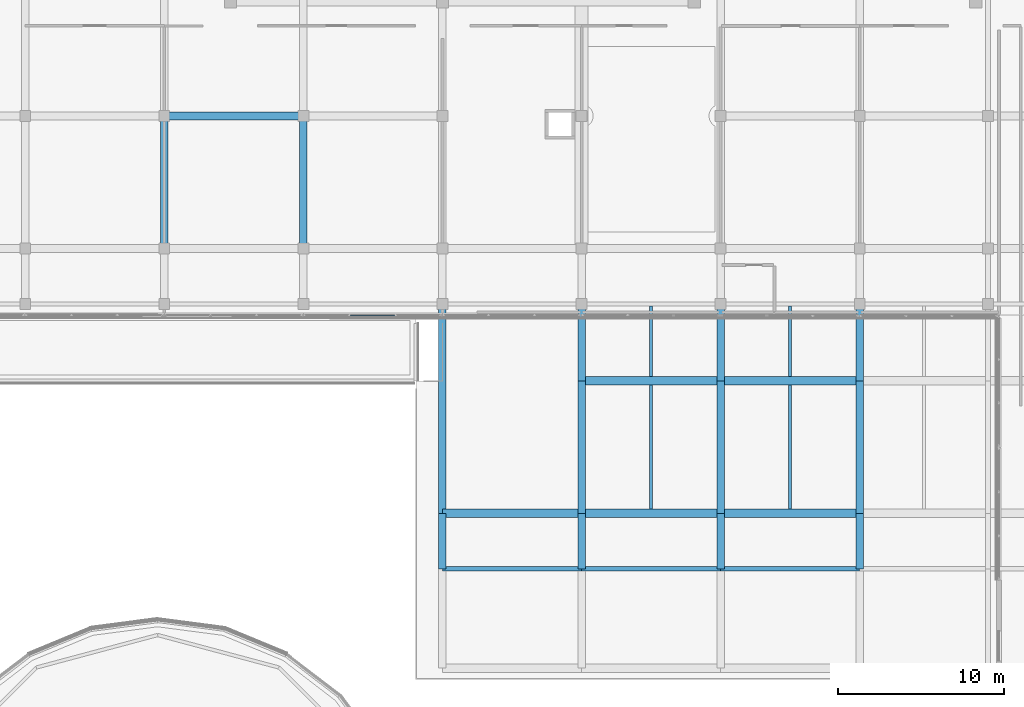
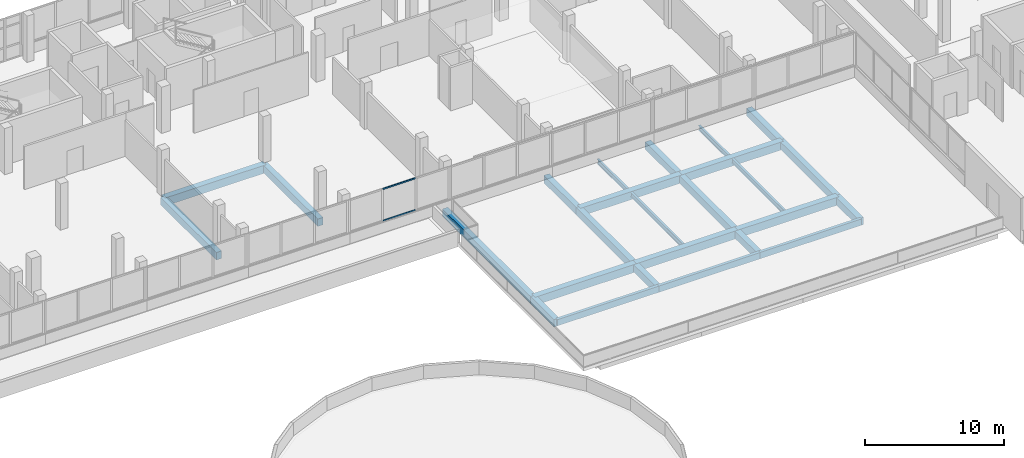
# One storey, part 16 of 78: 26 beams, 2 members, 1 element without a shape of its own.
"""IFC4 building model written with IfcOpenShell, lengths in metres."""

from ifc_helpers import new_model, si_unit, direction, frame, origin, origin_2d, place, context, subcontext, project, spatial, rectangle, hollow_rectangle, i_section, extrude, material, material_profile, profile_set, type_object, element, aggregate, save


model = new_model("IFC4")

# Units and contexts
model_context = context("Model", 3, precision=1e-05, world=origin(), true_north=direction((0.0, 1.0)))
body_context = subcontext(model_context, "Body", "Model", "MODEL_VIEW")
ifc_project = project(units=[si_unit("LENGTHUNIT", "METRE"), si_unit("AREAUNIT", "SQUARE_METRE"), si_unit("VOLUMEUNIT", "CUBIC_METRE"), si_unit("PLANEANGLEUNIT", "RADIAN"), si_unit("MASSUNIT", "GRAM", prefix="KILO")], contexts=[model_context])

# Site, building, storey
site_placement = place(None, origin())
site = spatial("IfcSite", under=ifc_project, at=site_placement, CompositionType="ELEMENT")
building_placement = place(site_placement, origin())
building = spatial("IfcBuilding", under=site, at=building_placement, Name="Selatvlak General Hospital", CompositionType="ELEMENT")
storey_placement = place(building_placement, frame((0.0, 0.0, 23.25)))
storey = spatial("IfcBuildingStorey", under=building, at=storey_placement, Name="L05", CompositionType="ELEMENT", Elevation=23.25)

# Beams
ifc_material_1 = material(Name="Concrete C40/50", Category="concrete")
ifc_material_profile_1 = material_profile(ifc_material_1, rectangle(XDim=0.5, YDim=0.699951171875, at=origin_2d()), Name="RC-BM 500x700")
ifc_profile_set_1 = profile_set([ifc_material_profile_1], Name="Concrete C40/50")
beam_type_1 = type_object("IfcBeamType", Name="BM-G03", PredefinedType="BEAM", material=ifc_profile_set_1)
beam_1_placement = place(storey_placement, frame((115.199951171875, 76.0, -0.64990234375), z_axis=(1.0, 0.0, 0.0), x_axis=(0.0, 1.0, 0.0)))
element("IfcBeam", 1, at=beam_1_placement, inside=storey, type_object=beam_type_1, Name="Beam BMR-L05-1871", PredefinedType="BEAM", context=body_context, shape_type="SweptSolid", body=[
    extrude(rectangle(XDim=0.5, YDim=0.699951171875, at=origin_2d()), origin(), (0.0, 0.0, 1.0), 8.400146484375),
])
for number, where, z_axis, x_axis, name in (
    (2, (123.60009765625, 76.0, -0.64990234375), (1.0, 0.0, 0.0), (0.0, 1.0, 0.0), "Beam BMR-L05-1872"),
    (3, (132.0, 76.0, -0.64990234375), (1.0, 0.0, 0.0), (0.0, 1.0, 0.0), "Beam BMR-L05-1873"),
    (4, (123.60009765625, 84.0, -0.64990234375), (1.0, 0.0, 0.0), (0.0, 1.0, 0.0), "Beam BMR-L05-1879"),
    (5, (132.0, 84.0, -0.64990234375), (1.0, 0.0, 0.0), (0.0, 1.0, 0.0), "Beam BMR-L05-1880"),
):
    element("IfcBeam", number, at=place(storey_placement, frame(where, z_axis=z_axis, x_axis=x_axis)), inside=storey, type_object=beam_type_1, Name=name, PredefinedType="BEAM", context=body_context, shape_type="SweptSolid", body=[
        extrude(rectangle(XDim=0.5, YDim=0.699951171875, at=origin_2d()), origin(), (0.0, 0.0, 1.0), 8.39990234375),
    ])
beam_2_placement = place(storey_placement, frame((98.39990234375, 100.0, -0.6298828125), z_axis=(1.0, 0.0, 0.0), x_axis=(0.0, 1.0, 0.0)))
element("IfcBeam", 6, at=beam_2_placement, inside=storey, type_object=beam_type_1, Name="Beam BMR-L05-1933", PredefinedType="BEAM", context=body_context, shape_type="SweptSolid", body=[
    extrude(rectangle(XDim=0.5, YDim=0.699951171875, at=origin_2d()), origin(), (0.0, 0.0, 1.0), 8.400146484375),
])
ifc_material_profile_2 = material_profile(ifc_material_1, rectangle(XDim=0.449951171875, YDim=0.64990234375, at=origin_2d()), Name="RC-BM 450x650")
ifc_profile_set_2 = profile_set([ifc_material_profile_2], Name="Concrete C40/50")
beam_type_2 = type_object("IfcBeamType", Name="BM-G04", PredefinedType="BEAM", material=ifc_profile_set_2)
for number, where, z_axis, x_axis, name in (
    (7, (98.39990234375, 92.0, -0.60498046875), (0.0, 1.0, 0.0), (-1.0, 0.0, 0.0), "Beam BMR-L05-2034"),
    (8, (106.800048828125, 92.0, -0.60498046875), (0.0, 1.0, 0.0), (-1.0, 0.0, 0.0), "Beam BMR-L05-2038"),
):
    element("IfcBeam", number, at=place(storey_placement, frame(where, z_axis=z_axis, x_axis=x_axis)), inside=storey, type_object=beam_type_2, Name=name, PredefinedType="BEAM", context=body_context, shape_type="SweptSolid", body=[
        extrude(rectangle(XDim=0.449951171875, YDim=0.64990234375, at=origin_2d()), origin(), (0.0, 0.0, 1.0), 8.0),
    ])
beam_3_placement = place(storey_placement, frame((115.199951171875, 72.64990234375, -0.625), z_axis=(0.0, 1.0, 0.0), x_axis=(-1.0, 0.0, 0.0)))
element("IfcBeam", 9, at=beam_3_placement, inside=storey, type_object=beam_type_2, Name="Beam BMR-L05-2041", PredefinedType="BEAM", context=body_context, shape_type="SweptSolid", body=[
    extrude(rectangle(XDim=0.449951171875, YDim=0.64990234375, at=origin_2d()), origin(), (0.0, 0.0, 1.0), 3.35009765625),
])
beam_4_placement = place(storey_placement, frame((115.199951171875, 76.0, -0.625), z_axis=(0.0, 1.0, 0.0), x_axis=(-1.0, 0.0, 0.0)))
element("IfcBeam", 10, at=beam_4_placement, inside=storey, type_object=beam_type_2, Name="Beam BMR-L05-2042", PredefinedType="BEAM", context=body_context, shape_type="SweptSolid", body=[
    extrude(rectangle(XDim=0.449951171875, YDim=0.64990234375, at=origin_2d()), origin(), (0.0, 0.0, 1.0), 12.64990234375),
])
beam_5_placement = place(storey_placement, frame((123.60009765625, 72.64990234375, -0.625), z_axis=(0.0, 1.0, 0.0), x_axis=(-1.0, 0.0, 0.0)))
element("IfcBeam", 11, at=beam_5_placement, inside=storey, type_object=beam_type_2, Name="Beam BMR-L05-2048", PredefinedType="BEAM", context=body_context, shape_type="SweptSolid", body=[
    extrude(rectangle(XDim=0.449951171875, YDim=0.64990234375, at=origin_2d()), origin(), (0.0, 0.0, 1.0), 3.35009765625),
])
beam_6_placement = place(storey_placement, frame((123.60009765625, 76.0, -0.625), z_axis=(0.0, 1.0, 0.0), x_axis=(-1.0, 0.0, 0.0)))
element("IfcBeam", 12, at=beam_6_placement, inside=storey, type_object=beam_type_2, Name="Beam BMR-L05-2049", PredefinedType="BEAM", context=body_context, shape_type="SweptSolid", body=[
    extrude(rectangle(XDim=0.449951171875, YDim=0.64990234375, at=origin_2d()), origin(), (0.0, 0.0, 1.0), 8.0),
])
beam_7_placement = place(storey_placement, frame((123.60009765625, 84.0, -0.625), z_axis=(0.0, 1.0, 0.0), x_axis=(-1.0, 0.0, 0.0)))
element("IfcBeam", 13, at=beam_7_placement, inside=storey, type_object=beam_type_2, Name="Beam BMR-L05-2050", PredefinedType="BEAM", context=body_context, shape_type="SweptSolid", body=[
    extrude(rectangle(XDim=0.449951171875, YDim=0.64990234375, at=origin_2d()), origin(), (0.0, 0.0, 1.0), 4.64990234375),
])
beam_8_placement = place(storey_placement, frame((132.0, 72.64990234375, -0.625), z_axis=(0.0, 1.0, 0.0), x_axis=(-1.0, 0.0, 0.0)))
element("IfcBeam", 14, at=beam_8_placement, inside=storey, type_object=beam_type_2, Name="Beam BMR-L05-2055", PredefinedType="BEAM", context=body_context, shape_type="SweptSolid", body=[
    extrude(rectangle(XDim=0.449951171875, YDim=0.64990234375, at=origin_2d()), origin(), (0.0, 0.0, 1.0), 3.35009765625),
])
beam_9_placement = place(storey_placement, frame((132.0, 76.0, -0.625), z_axis=(0.0, 1.0, 0.0), x_axis=(-1.0, 0.0, 0.0)))
element("IfcBeam", 15, at=beam_9_placement, inside=storey, type_object=beam_type_2, Name="Beam BMR-L05-2056", PredefinedType="BEAM", context=body_context, shape_type="SweptSolid", body=[
    extrude(rectangle(XDim=0.449951171875, YDim=0.64990234375, at=origin_2d()), origin(), (0.0, 0.0, 1.0), 8.0),
])
beam_10_placement = place(storey_placement, frame((132.0, 84.0, -0.625), z_axis=(0.0, 1.0, 0.0), x_axis=(-1.0, 0.0, 0.0)))
element("IfcBeam", 16, at=beam_10_placement, inside=storey, type_object=beam_type_2, Name="Beam BMR-L05-2057", PredefinedType="BEAM", context=body_context, shape_type="SweptSolid", body=[
    extrude(rectangle(XDim=0.449951171875, YDim=0.64990234375, at=origin_2d()), origin(), (0.0, 0.0, 1.0), 4.64990234375),
])
beam_11_placement = place(storey_placement, frame((140.39990234375, 72.64990234375, -0.625), z_axis=(0.0, 1.0, 0.0), x_axis=(-1.0, 0.0, 0.0)))
element("IfcBeam", 17, at=beam_11_placement, inside=storey, type_object=beam_type_2, Name="Beam BMR-L05-2063", PredefinedType="BEAM", context=body_context, shape_type="SweptSolid", body=[
    extrude(rectangle(XDim=0.449951171875, YDim=0.64990234375, at=origin_2d()), origin(), (0.0, 0.0, 1.0), 3.35009765625),
])
beam_12_placement = place(storey_placement, frame((140.39990234375, 76.0, -0.625), z_axis=(0.0, 1.0, 0.0), x_axis=(-1.0, 0.0, 0.0)))
element("IfcBeam", 18, at=beam_12_placement, inside=storey, type_object=beam_type_2, Name="Beam BMR-L05-2064", PredefinedType="BEAM", context=body_context, shape_type="SweptSolid", body=[
    extrude(rectangle(XDim=0.449951171875, YDim=0.64990234375, at=origin_2d()), origin(), (0.0, 0.0, 1.0), 8.0),
])
beam_13_placement = place(storey_placement, frame((140.39990234375, 84.0, -0.625), z_axis=(0.0, 1.0, 0.0), x_axis=(-1.0, 0.0, 0.0)))
element("IfcBeam", 19, at=beam_13_placement, inside=storey, type_object=beam_type_2, Name="Beam BMR-L05-2065", PredefinedType="BEAM", context=body_context, shape_type="SweptSolid", body=[
    extrude(rectangle(XDim=0.449951171875, YDim=0.64990234375, at=origin_2d()), origin(), (0.0, 0.0, 1.0), 4.64990234375),
])
ifc_material_2 = material(Name="Steel S355", Category="steel")
ifc_material_profile_3 = material_profile(ifc_material_2, i_section(OverallWidth=0.177978515625, OverallDepth=0.406494140625, WebThickness=0.0078125, FlangeThickness=0.0126953125, at=origin_2d()), Name="UB 406x178x60")
ifc_profile_set_3 = profile_set([ifc_material_profile_3], Name="Steel S355")
beam_type_3 = type_object("IfcBeamType", Name="BM-J04", PredefinedType="JOIST", material=ifc_profile_set_3)
for number, where, z_axis, x_axis, name in (
    (20, (127.800048828125, 76.25, -0.5029296875), (0.0, 1.0, 0.0), (-1.0, 0.0, 0.0), "Beam BMR-L05-2118"),
    (21, (136.199951171875, 76.25, -0.5029296875), (0.0, 1.0, 0.0), (-1.0, 0.0, 0.0), "Beam BMR-L05-2119"),
):
    element("IfcBeam", number, at=place(storey_placement, frame(where, z_axis=z_axis, x_axis=x_axis)), inside=storey, type_object=beam_type_3, Name=name, PredefinedType="JOIST", context=body_context, shape_type="SweptSolid", body=[
        extrude(i_section(OverallWidth=0.177978515625, OverallDepth=0.406494140625, WebThickness=0.0078125, FlangeThickness=0.0126953125, at=origin_2d()), origin(), (0.0, 0.0, 1.0), 7.5),
    ])
for number, where, z_axis, x_axis, name in (
    (22, (127.800048828125, 84.25, -0.5029296875), (0.0, 1.0, 0.0), (-1.0, 0.0, 0.0), "Beam BMR-L05-2122"),
    (23, (136.199951171875, 84.25, -0.5029296875), (0.0, 1.0, 0.0), (-1.0, 0.0, 0.0), "Beam BMR-L05-2123"),
):
    element("IfcBeam", number, at=place(storey_placement, frame(where, z_axis=z_axis, x_axis=x_axis)), inside=storey, type_object=beam_type_3, Name=name, PredefinedType="JOIST", context=body_context, shape_type="SweptSolid", body=[
        extrude(i_section(OverallWidth=0.177978515625, OverallDepth=0.406494140625, WebThickness=0.0078125, FlangeThickness=0.0126953125, at=origin_2d()), origin(), (0.0, 0.0, 1.0), 4.27490234375),
    ])
ifc_material_profile_4 = material_profile(ifc_material_1, rectangle(XDim=0.25, YDim=0.550048828125, at=origin_2d()), Name="RC-SP 250x550")
ifc_profile_set_4 = profile_set([ifc_material_profile_4], Name="Concrete C40/50")
beam_type_4 = type_object("IfcBeamType", Name="BM-SP2", PredefinedType="SPANDREL", material=ifc_profile_set_4)
beam_14_placement = place(storey_placement, frame((115.199951171875, 72.64990234375, -0.574951171875), z_axis=(1.0, 0.0, 0.0), x_axis=(0.0, 1.0, 0.0)))
element("IfcBeam", 24, at=beam_14_placement, inside=storey, type_object=beam_type_4, Name="Beam BMR-L05-1863", PredefinedType="SPANDREL", context=body_context, shape_type="SweptSolid", body=[
    extrude(rectangle(XDim=0.25, YDim=0.550048828125, at=origin_2d()), origin(), (0.0, 0.0, 1.0), 8.400146484375),
])
for number, where, z_axis, x_axis, name in (
    (25, (123.60009765625, 72.64990234375, -0.574951171875), (1.0, 0.0, 0.0), (0.0, 1.0, 0.0), "Beam BMR-L05-1864"),
    (26, (132.0, 72.64990234375, -0.574951171875), (1.0, 0.0, 0.0), (0.0, 1.0, 0.0), "Beam BMR-L05-1865"),
):
    element("IfcBeam", number, at=place(storey_placement, frame(where, z_axis=z_axis, x_axis=x_axis)), inside=storey, type_object=beam_type_4, Name=name, PredefinedType="SPANDREL", context=body_context, shape_type="SweptSolid", body=[
        extrude(rectangle(XDim=0.25, YDim=0.550048828125, at=origin_2d()), origin(), (0.0, 0.0, 1.0), 8.39990234375),
    ])

# Curtain wall, members
ifc_material_3 = material(Name="Solar-control Low-E double glazing", Category="glass")
curtain_wall_type = type_object("IfcCurtainWallType", Name="CW-CW-01", PredefinedType="USERDEFINED", material=ifc_material_3)
curtain_wall_placement = place(storey_placement, origin())
curtain_wall = element("IfcCurtainWall", 27, at=curtain_wall_placement, inside=storey, type_object=curtain_wall_type, Name="Glazed facade curtain wall CW-L05-0583", ObjectType="UNITISED CURTAIN WALL", PredefinedType="USERDEFINED")
ifc_material_4 = material(Name="Dark anodised aluminium mullion", Category="aluminium")
ifc_material_profile_5 = material_profile(ifc_material_4, hollow_rectangle(XDim=0.06494140625, YDim=0.1201171875, WallThickness=0.00390625, at=origin_2d()), Name="AL-TRN 65x120x4")
ifc_profile_set_5 = profile_set([ifc_material_profile_5], Name="Dark anodised aluminium mullion")
member_type = type_object("IfcMemberType", Name="CWT-01", PredefinedType="USERDEFINED", material=ifc_profile_set_5)
member_1_placement = place(storey_placement, frame((112.3291015625, 87.957275390625, 0.972412109375), z_axis=(-0.999999853724, 0.000540881558, 0.0), x_axis=(-0.000540881558, -0.999999853724, 0.0)))
member_1 = element("IfcMember", 28, at=member_1_placement, type_object=member_type, Name="CW-01 transom 2.1", ObjectType="TRANSOM", PredefinedType="USERDEFINED", context=body_context, shape_type="SweptSolid", body=[
    extrude(hollow_rectangle(XDim=0.06494140625, YDim=0.1201171875, WallThickness=0.00390625, at=origin_2d()), origin(), (0.0, 0.0, 1.0), 2.708251953125),
])
member_2_placement = place(storey_placement, frame((112.3291015625, 87.957275390625, 3.742431640625), z_axis=(-0.999999853724, 0.000540881558, 0.0), x_axis=(-0.000540881558, -0.999999853724, 0.0)))
member_2 = element("IfcMember", 29, at=member_2_placement, type_object=member_type, Name="CW-01 transom 2.2", ObjectType="TRANSOM", PredefinedType="USERDEFINED", context=body_context, shape_type="SweptSolid", body=[
    extrude(hollow_rectangle(XDim=0.06494140625, YDim=0.1201171875, WallThickness=0.00390625, at=origin_2d()), origin(), (0.0, 0.0, 1.0), 2.708251953125),
])
aggregate(curtain_wall, [member_1, member_2])

save(model, "model.ifc")
